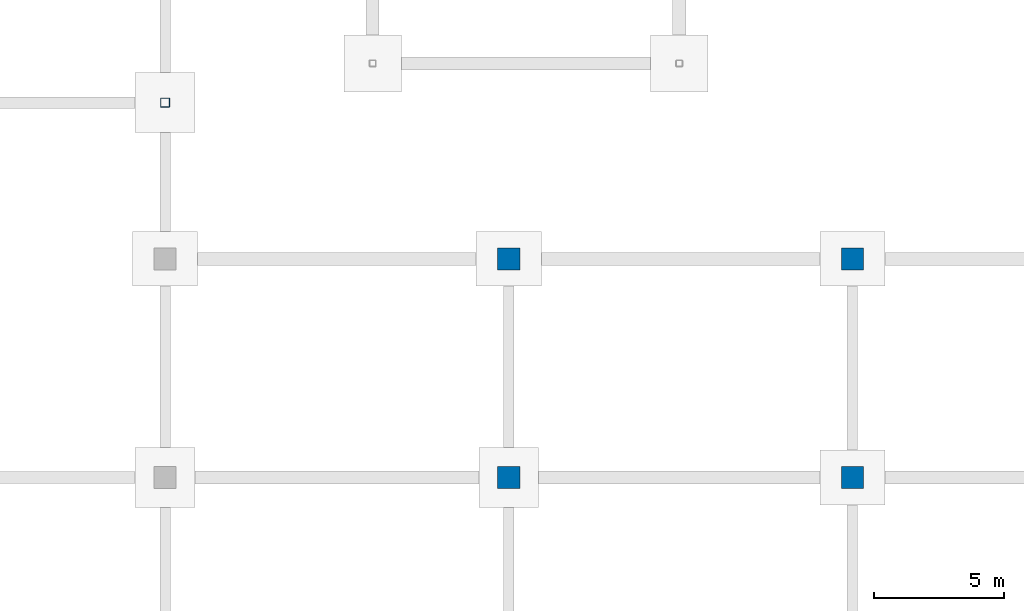
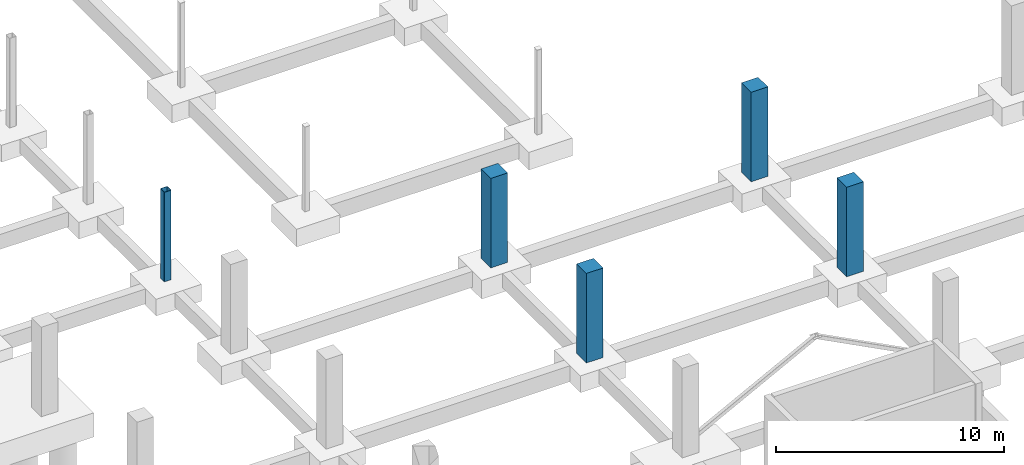
# One storey, part 26 of 44: 5 columns.
"""IFC4 building model written with IfcOpenShell, lengths in metres."""

from ifc_helpers import new_model, si_unit, direction, frame, origin, origin_2d, place, context, subcontext, project, spatial, rectangle, hollow_rectangle, extrude, material, material_profile, profile_set, type_object, element, save


model = new_model("IFC4")

# Units and contexts
model_context = context("Model", 3, precision=1e-05, world=origin(), true_north=direction((0.0, 1.0)))
body_context = subcontext(model_context, "Body", "Model", "MODEL_VIEW")
ifc_project = project(units=[si_unit("LENGTHUNIT", "METRE"), si_unit("AREAUNIT", "SQUARE_METRE"), si_unit("VOLUMEUNIT", "CUBIC_METRE"), si_unit("PLANEANGLEUNIT", "RADIAN"), si_unit("MASSUNIT", "GRAM", prefix="KILO")], contexts=[model_context])

# Site, building, storey
site_placement = place(None, origin())
site = spatial("IfcSite", under=ifc_project, at=site_placement, CompositionType="ELEMENT")
building_placement = place(site_placement, origin())
building = spatial("IfcBuilding", under=site, at=building_placement, Name="Kisaragi Civic Commons", CompositionType="ELEMENT")
storey_placement = place(building_placement, frame((0.0, 0.0, -4.800048828125)))
storey = spatial("IfcBuildingStorey", under=building, at=storey_placement, Name="B1", CompositionType="ELEMENT", Elevation=-4.800048828125)

# Columns
ifc_material_1 = material(Name="Concrete Fc36", Category="concrete")
ifc_material_profile_1 = material_profile(ifc_material_1, rectangle(XDim=0.85009765625, YDim=0.85009765625, at=origin_2d()), Name="RC-850x850", Category="concrete")
ifc_profile_set_1 = profile_set([ifc_material_profile_1], Name="Concrete Fc36")
column_type_1 = type_object("IfcColumnType", Name="C-01", PredefinedType="COLUMN", material=ifc_profile_set_1)
for number, where, z_axis, x_axis, name in (
    (1, (146.39990234375, 16.800048828125, 0.0), (0.0, 0.0, 1.0), (1.0, 0.0, 0.0), "B1 column C-01 (146.4,16.8)"),
    (2, (159.60009765625, 16.800048828125, 0.0), (0.0, 0.0, 1.0), (1.0, 0.0, 0.0), "B1 column C-01 (159.6,16.8)"),
):
    element("IfcColumn", number, at=place(storey_placement, frame(where, z_axis=z_axis, x_axis=x_axis)), inside=storey, type_object=column_type_1, Name=name, PredefinedType="COLUMN", context=body_context, shape_type="SweptSolid", body=[
        extrude(rectangle(XDim=0.85009765625, YDim=0.85009765625, at=origin_2d()), origin(), (0.0, 0.0, 1.0), 4.800048828125),
    ])
ifc_material_profile_2 = material_profile(ifc_material_1, rectangle(XDim=0.85009765625, YDim=0.85009765625, at=origin_2d()), Name="RC-850x850", Category="concrete")
ifc_profile_set_2 = profile_set([ifc_material_profile_2], Name="Concrete Fc36")
column_type_2 = type_object("IfcColumnType", Name="C-05", PredefinedType="COLUMN", material=ifc_profile_set_2)
for number, where, z_axis, x_axis, name in (
    (3, (146.39990234375, 25.199951171875, 0.0), (0.0, 0.0, 1.0), (1.0, 0.0, 0.0), "B1 column C-05 (146.4,25.2)"),
    (4, (159.60009765625, 25.199951171875, 0.0), (0.0, 0.0, 1.0), (1.0, 0.0, 0.0), "B1 column C-05 (159.6,25.2)"),
):
    element("IfcColumn", number, at=place(storey_placement, frame(where, z_axis=z_axis, x_axis=x_axis)), inside=storey, type_object=column_type_2, Name=name, PredefinedType="COLUMN", context=body_context, shape_type="SweptSolid", body=[
        extrude(rectangle(XDim=0.85009765625, YDim=0.85009765625, at=origin_2d()), origin(), (0.0, 0.0, 1.0), 4.800048828125),
    ])
ifc_material_2 = material(Name="Steel BCR295", Category="steel")
ifc_material_profile_3 = material_profile(ifc_material_2, hollow_rectangle(XDim=0.35009765625, YDim=0.35009765625, WallThickness=0.011962890625, InnerFilletRadius=0.011962890625, OuterFilletRadius=0.02392578125, at=origin_2d()), Name="BCR-350x350x12", Category="steel")
ifc_profile_set_3 = profile_set([ifc_material_profile_3], Name="Steel BCR295")
column_type_3 = type_object("IfcColumnType", Name="C-13", PredefinedType="COLUMN", material=ifc_profile_set_3)
column_placement = place(storey_placement, frame((133.199951171875, 31.199951171875, 0.0), z_axis=(0.0, 0.0, 1.0), x_axis=(1.0, 0.0, 0.0)))
element("IfcColumn", 5, at=column_placement, inside=storey, type_object=column_type_3, Name="B1 column C-13 (133.2,31.2)", PredefinedType="COLUMN", context=body_context, shape_type="SweptSolid", body=[
    extrude(hollow_rectangle(XDim=0.35009765625, YDim=0.35009765625, WallThickness=0.011962890625, InnerFilletRadius=0.011962890625, OuterFilletRadius=0.02392578125, at=origin_2d()), origin(), (0.0, 0.0, 1.0), 4.800048828125),
])

save(model, "model.ifc")
